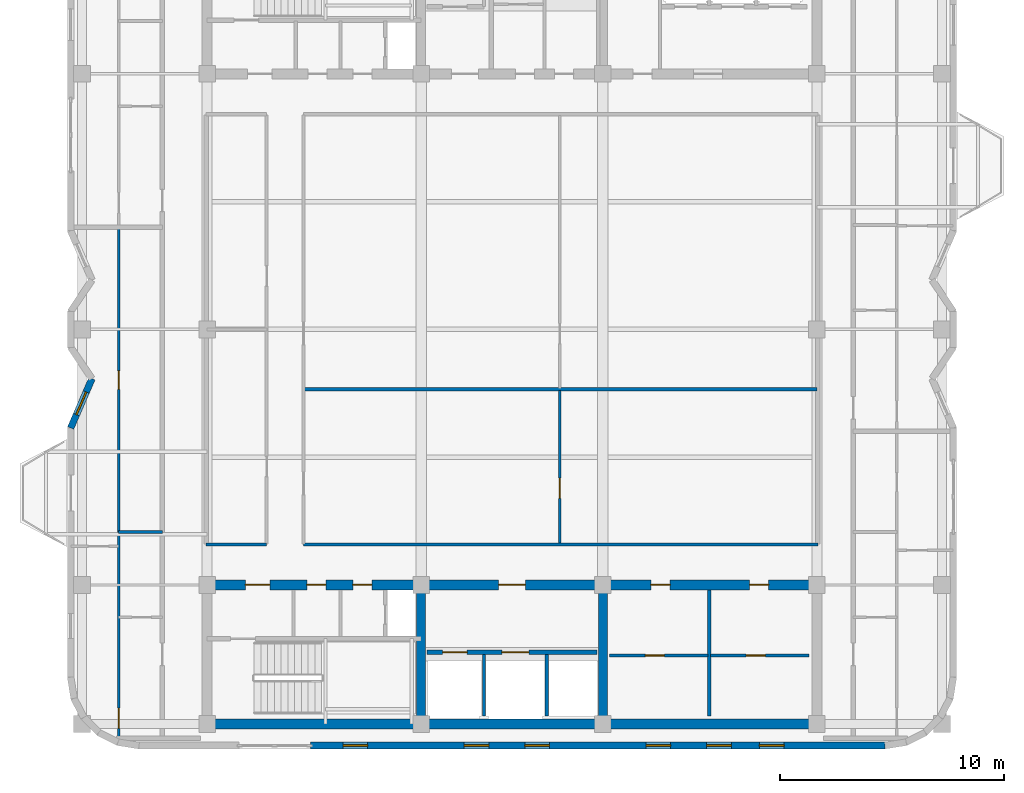
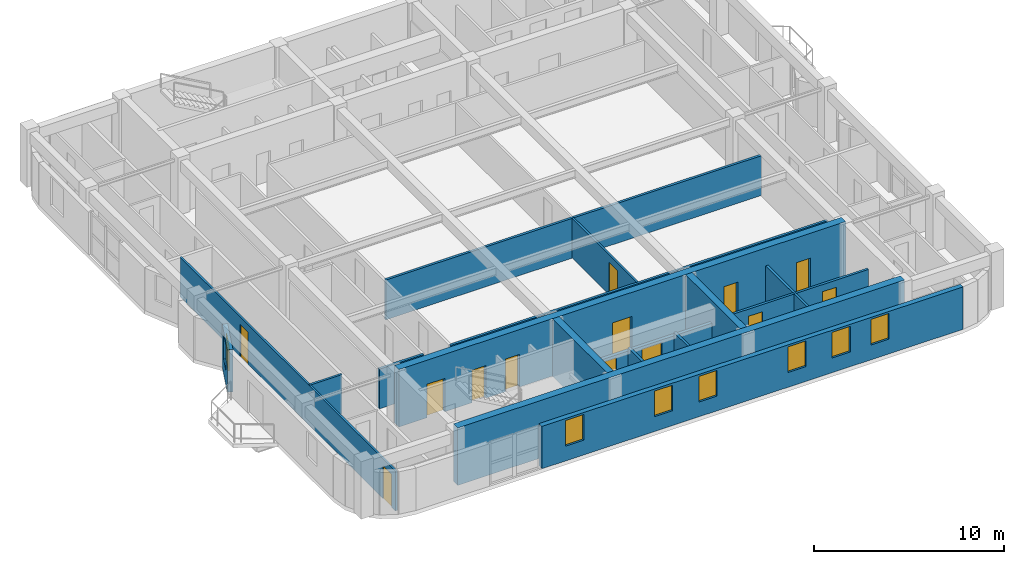
# One storey, part 5 of 11: 18 walls, 13 doors, 7 windows, 20 openings.
"""IFC4 building model written with IfcOpenShell, lengths in metres."""

from ifc_helpers import new_model, si_unit, direction, frame, frame_2d, origin, place, context, subcontext, project, spatial, rectangle, extrude, material, layer, layer_set, type_object, element, fill, save


model = new_model("IFC4")

# Units and contexts
model_context = context("Model", 3, precision=1e-05, world=origin(), true_north=direction((0.0, 1.0)))
body_context = subcontext(model_context, "Body", "Model", "MODEL_VIEW")
ifc_project = project(units=[si_unit("LENGTHUNIT", "METRE"), si_unit("AREAUNIT", "SQUARE_METRE"), si_unit("VOLUMEUNIT", "CUBIC_METRE"), si_unit("PLANEANGLEUNIT", "RADIAN"), si_unit("MASSUNIT", "GRAM", prefix="KILO")], contexts=[model_context])

# Site, building, storey
site_placement = place(None, origin())
site = spatial("IfcSite", under=ifc_project, at=site_placement, CompositionType="ELEMENT")
building_placement = place(site_placement, origin())
building = spatial("IfcBuilding", under=site, at=building_placement, Name="Svetorya Sky Lyceum", CompositionType="ELEMENT")
storey_placement = place(building_placement, frame((0.0, 0.0, 289.800048828125)))
storey = spatial("IfcBuildingStorey", under=building, at=storey_placement, Name="L73", CompositionType="ELEMENT", Elevation=289.800048828125)

# Walls
ifc_material_1 = material(Name="Concrete C40/50", Category="concrete")
ifc_layer_1 = layer(ifc_material_1, 0.39990234375)
ifc_layer_set_1 = layer_set([ifc_layer_1], Name="Concrete C40/50")
wall_type_1 = type_object("IfcWallType", Name="WL-CORE-400", PredefinedType="SHEAR", material=ifc_layer_set_1)
for number, where, z_axis, x_axis, name in (
    (1, (35.14990234375, 10.824951171875, 0.0), (0.0, 0.0, 1.0), (0.0, 1.0, 0.0), "L73 SC Internal Shear Web WEB1"),
    (2, (43.25, 10.824951171875, 0.0), (0.0, 0.0, 1.0), (0.0, 1.0, 0.0), "L73 SC Internal Shear Web WEB2"),
):
    element("IfcWall", number, at=place(storey_placement, frame(where, z_axis=z_axis, x_axis=x_axis)), inside=storey, type_object=wall_type_1, Name=name, PredefinedType="SHEAR", context=body_context, shape_type="SweptSolid", body=[
        extrude(rectangle(XDim=5.75, YDim=0.39990234375, at=frame_2d((2.875, 0.0))), origin(), (0.0, 0.0, 1.0), 3.699951171875),
    ])
ifc_material_2 = material(Name="Concrete C50/60", Category="concrete")
ifc_layer_2 = layer(ifc_material_2, 0.449951171875)
ifc_layer_set_2 = layer_set([ifc_layer_2], Name="Concrete C50/60")
wall_type_2 = type_object("IfcWallType", Name="WL-CORE-450", PredefinedType="SHEAR", material=ifc_layer_set_2)
wall_1_placement = place(storey_placement, frame((52.800048828125, 10.60009765625, 0.0), z_axis=(0.0, 0.0, 1.0), x_axis=(-1.0, 0.0, 0.0)))
element("IfcWall", 3, at=wall_1_placement, inside=storey, type_object=wall_type_2, Name="L73 SC Outer Core Shear Wall", PredefinedType="SHEAR", context=body_context, shape_type="SweptSolid", body=[
    extrude(rectangle(XDim=27.199951171875, YDim=0.449951171875, at=frame_2d((13.60009765625, 0.0))), origin(), (0.0, 0.0, 1.0), 3.699951171875),
])

# Wall, openings, doors
wall_2_placement = place(storey_placement, frame((25.60009765625, 16.800048828125, 0.0), z_axis=(0.0, 0.0, 1.0), x_axis=(1.0, 0.0, 0.0)))
wall_2 = element("IfcWall", 4, at=wall_2_placement, inside=storey, type_object=wall_type_2, Name="L73 SC Inner Core Shear Wall", PredefinedType="SHEAR", context=body_context, shape_type="SweptSolid", body=[
    extrude(rectangle(XDim=27.199951171875, YDim=0.449951171875, at=frame_2d((13.60009765625, 0.0))), origin(), (0.0, 0.0, 1.0), 3.699951171875),
])
opening_1_placement = place(wall_2_placement, frame((1.699951171875, 0.0, 0.0)))
opening_1 = element("IfcOpeningElement", 5, at=opening_1_placement, cuts=wall_2, Name="Opening D-ST1", PredefinedType="OPENING", context=body_context, shape_type="SweptSolid", body=[
    extrude(rectangle(XDim=1.10009765625, YDim=2.14990234375, at=frame_2d((0.550048828125, 1.074951171875))), frame((0.0, 0.23486328125, 0.0), z_axis=(0.0, -1.0, 0.0), x_axis=(1.0, 0.0, 0.0)), (0.0, 0.0, 1.0), 0.469970703125),
])
opening_2_placement = place(wall_2_placement, frame((4.449951171875, 0.0, 0.0)))
opening_2 = element("IfcOpeningElement", 6, at=opening_2_placement, cuts=wall_2, Name="Opening D-CWC1", PredefinedType="OPENING", context=body_context, shape_type="SweptSolid", body=[
    extrude(rectangle(XDim=0.85009765625, YDim=2.10009765625, at=frame_2d((0.425048828125, 1.050048828125))), frame((0.0, 0.23486328125, 0.0), z_axis=(0.0, -1.0, 0.0), x_axis=(1.0, 0.0, 0.0)), (0.0, 0.0, 1.0), 0.469970703125),
])
opening_3_placement = place(wall_2_placement, frame((6.5, 0.0, 0.0)))
opening_3 = element("IfcOpeningElement", 7, at=opening_3_placement, cuts=wall_2, Name="Opening D-CWC1", PredefinedType="OPENING", context=body_context, shape_type="SweptSolid", body=[
    extrude(rectangle(XDim=0.85009765625, YDim=2.10009765625, at=frame_2d((0.425048828125, 1.050048828125))), frame((0.0, 0.23486328125, 0.0), z_axis=(0.0, -1.0, 0.0), x_axis=(1.0, 0.0, 0.0)), (0.0, 0.0, 1.0), 0.469970703125),
])
opening_4_placement = place(wall_2_placement, frame((13.0, 0.0, 0.0)))
opening_4 = element("IfcOpeningElement", 8, at=opening_4_placement, cuts=wall_2, Name="Opening D-FL1", PredefinedType="OPENING", context=body_context, shape_type="SweptSolid", body=[
    extrude(rectangle(XDim=1.199951171875, YDim=2.14990234375, at=frame_2d((0.60009765625, 1.074951171875))), frame((0.0, 0.23486328125, 0.0), z_axis=(0.0, -1.0, 0.0), x_axis=(1.0, 0.0, 0.0)), (0.0, 0.0, 1.0), 0.469970703125),
])
opening_5_placement = place(wall_2_placement, frame((19.800048828125, 0.0, 0.0)))
opening_5 = element("IfcOpeningElement", 9, at=opening_5_placement, cuts=wall_2, Name="Opening D-CWC1", PredefinedType="OPENING", context=body_context, shape_type="SweptSolid", body=[
    extrude(rectangle(XDim=0.85009765625, YDim=2.10009765625, at=frame_2d((0.425048828125, 1.050048828125))), frame((0.0, 0.23486328125, 0.0), z_axis=(0.0, -1.0, 0.0), x_axis=(1.0, 0.0, 0.0)), (0.0, 0.0, 1.0), 0.469970703125),
])
opening_6_placement = place(wall_2_placement, frame((24.199951171875, 0.0, 0.0)))
opening_6 = element("IfcOpeningElement", 10, at=opening_6_placement, cuts=wall_2, Name="Opening D-CWC1", PredefinedType="OPENING", context=body_context, shape_type="SweptSolid", body=[
    extrude(rectangle(XDim=0.85009765625, YDim=2.10009765625, at=frame_2d((0.425048828125, 1.050048828125))), frame((0.0, 0.23486328125, 0.0), z_axis=(0.0, -1.0, 0.0), x_axis=(1.0, 0.0, 0.0)), (0.0, 0.0, 1.0), 0.469970703125),
])
ifc_material_3 = material(Name="Fire-rated galvanized steel core service closet door", Category="steel")
door_type_1 = type_object("IfcDoorType", Name="DR-CWET-850", OperationType="SINGLE_SWING_LEFT", PredefinedType="DOOR", material=ifc_material_3)
door_1_placement = place(opening_2_placement, origin())
door_1 = element("IfcDoor", 11, at=door_1_placement, inside=storey, type_object=door_type_1, Name="L73 South Mop Closet Door", OperationType="SINGLE_SWING_LEFT", OverallHeight=2.10009765625, OverallWidth=0.85009765625, PredefinedType="DOOR", context=body_context, shape_type="SweptSolid", body=[
    extrude(rectangle(XDim=0.85009765625, YDim=2.10009765625, at=frame_2d((0.425048828125, 1.050048828125))), frame((0.0, 0.02490234375, 0.0), z_axis=(0.0, -1.0, 0.0), x_axis=(1.0, 0.0, 0.0)), (0.0, 0.0, 1.0), 0.050048828125),
])
fill(opening_2, door_1)
door_2_placement = place(opening_3_placement, origin())
door_2 = element("IfcDoor", 12, at=door_2_placement, inside=storey, type_object=door_type_1, Name="L73 South West WC Door", OperationType="SINGLE_SWING_RIGHT", OverallHeight=2.10009765625, OverallWidth=0.85009765625, PredefinedType="DOOR", context=body_context, shape_type="SweptSolid", body=[
    extrude(rectangle(XDim=0.85009765625, YDim=2.10009765625, at=frame_2d((0.425048828125, 1.050048828125))), frame((0.0, 0.02490234375, 0.0), z_axis=(0.0, -1.0, 0.0), x_axis=(1.0, 0.0, 0.0)), (0.0, 0.0, 1.0), 0.050048828125),
])
fill(opening_3, door_2)
door_3_placement = place(opening_5_placement, origin())
door_3 = element("IfcDoor", 13, at=door_3_placement, inside=storey, type_object=door_type_1, Name="L73 Housekeeping Door", OperationType="SINGLE_SWING_LEFT", OverallHeight=2.10009765625, OverallWidth=0.85009765625, PredefinedType="DOOR", context=body_context, shape_type="SweptSolid", body=[
    extrude(rectangle(XDim=0.85009765625, YDim=2.10009765625, at=frame_2d((0.425048828125, 1.050048828125))), frame((0.0, 0.02490234375, 0.0), z_axis=(0.0, -1.0, 0.0), x_axis=(1.0, 0.0, 0.0)), (0.0, 0.0, 1.0), 0.050048828125),
])
fill(opening_5, door_3)
door_4_placement = place(opening_6_placement, origin())
door_4 = element("IfcDoor", 14, at=door_4_placement, inside=storey, type_object=door_type_1, Name="L73 South WC Door", OperationType="SINGLE_SWING_RIGHT", OverallHeight=2.10009765625, OverallWidth=0.85009765625, PredefinedType="DOOR", context=body_context, shape_type="SweptSolid", body=[
    extrude(rectangle(XDim=0.85009765625, YDim=2.10009765625, at=frame_2d((0.425048828125, 1.050048828125))), frame((0.0, 0.02490234375, 0.0), z_axis=(0.0, -1.0, 0.0), x_axis=(1.0, 0.0, 0.0)), (0.0, 0.0, 1.0), 0.050048828125),
])
fill(opening_6, door_4)
ifc_material_4 = material(Name="Powder-coated insulated galvanized stair fire door")
door_type_2 = type_object("IfcDoorType", Name="DR-FIRE-1100", OperationType="SINGLE_SWING_LEFT", PredefinedType="DOOR", material=ifc_material_4)
door_5_placement = place(opening_1_placement, origin())
door_5 = element("IfcDoor", 15, at=door_5_placement, inside=storey, type_object=door_type_2, Name="L73 South Stair Airlock Door", OperationType="SINGLE_SWING_RIGHT", OverallHeight=2.14990234375, OverallWidth=1.10009765625, PredefinedType="DOOR", context=body_context, shape_type="SweptSolid", body=[
    extrude(rectangle(XDim=1.10009765625, YDim=2.14990234375, at=frame_2d((0.550048828125, 1.074951171875))), frame((0.0, 0.02490234375, 0.0), z_axis=(0.0, -1.0, 0.0), x_axis=(1.0, 0.0, 0.0)), (0.0, 0.0, 1.0), 0.050048828125),
])
fill(opening_1, door_5)
ifc_material_5 = material(Name="Powder-coated insulated galvanized fire door")
door_type_3 = type_object("IfcDoorType", Name="DR-FIRE-1200", OperationType="SINGLE_SWING_LEFT", PredefinedType="DOOR", material=ifc_material_5)
door_6_placement = place(opening_4_placement, origin())
door_6 = element("IfcDoor", 16, at=door_6_placement, inside=storey, type_object=door_type_3, Name="L73 South Firefighting Lift Lobby Door", OperationType="SINGLE_SWING_LEFT", OverallHeight=2.14990234375, OverallWidth=1.199951171875, PredefinedType="DOOR", context=body_context, shape_type="SweptSolid", body=[
    extrude(rectangle(XDim=1.199951171875, YDim=2.14990234375, at=frame_2d((0.60009765625, 1.074951171875))), frame((0.0, 0.02490234375, 0.0), z_axis=(0.0, -1.0, 0.0), x_axis=(1.0, 0.0, 0.0)), (0.0, 0.0, 1.0), 0.050048828125),
])
fill(opening_4, door_6)

# Wall, openings, windows
ifc_material_6 = material(Name="Putilovo limestone rainscreen on autoclaved cellular masonry", Category="masonry")
ifc_layer_3 = layer(ifc_material_6, 0.300048828125)
ifc_layer_set_3 = layer_set([ifc_layer_3], Name="Putilovo limestone rainscreen on autoclaved cellular masonry")
wall_type_3 = type_object("IfcWallType", Name="WL-EXT-300", PredefinedType="SOLIDWALL", material=ifc_layer_set_3)
wall_3_placement = place(storey_placement, frame((30.2099609375, 9.6298828125, 0.0), z_axis=(0.0, 0.0, 1.0), x_axis=(1.0, 0.0, 0.0)))
wall_3 = element("IfcWall", 17, at=wall_3_placement, inside=storey, type_object=wall_type_3, Name="L73 Limestone Exterior Wall 6B", PredefinedType="SOLIDWALL", context=body_context, shape_type="SweptSolid", body=[
    extrude(rectangle(XDim=25.630126953125, YDim=0.300048828125, at=frame_2d((12.81494140625, 0.0))), origin(), (0.0, 0.0, 1.0), 2.72998046875),
])
opening_7_placement = place(wall_3_placement, frame((1.45166015625, 0.0, 0.949951171875)))
opening_7 = element("IfcOpeningElement", 18, at=opening_7_placement, cuts=wall_3, Name="Opening W-R3", PredefinedType="OPENING", context=body_context, shape_type="SweptSolid", body=[
    extrude(rectangle(XDim=1.10009765625, YDim=1.64990234375, at=frame_2d((0.550048828125, 0.824951171875))), frame((0.0, 0.159912109375, 0.0), z_axis=(0.0, -1.0, 0.0), x_axis=(1.0, 0.0, 0.0)), (0.0, 0.0, 1.0), 0.320068359375),
])
opening_8_placement = place(wall_3_placement, frame((6.8583984375, 0.0, 0.949951171875)))
opening_8 = element("IfcOpeningElement", 19, at=opening_8_placement, cuts=wall_3, Name="Opening W-R3", PredefinedType="OPENING", context=body_context, shape_type="SweptSolid", body=[
    extrude(rectangle(XDim=1.10009765625, YDim=1.64990234375, at=frame_2d((0.550048828125, 0.824951171875))), frame((0.0, 0.159912109375, 0.0), z_axis=(0.0, -1.0, 0.0), x_axis=(1.0, 0.0, 0.0)), (0.0, 0.0, 1.0), 0.320068359375),
])
opening_9_placement = place(wall_3_placement, frame((9.561767578125, 0.0, 0.949951171875)))
opening_9 = element("IfcOpeningElement", 20, at=opening_9_placement, cuts=wall_3, Name="Opening W-R3", PredefinedType="OPENING", context=body_context, shape_type="SweptSolid", body=[
    extrude(rectangle(XDim=1.10009765625, YDim=1.64990234375, at=frame_2d((0.550048828125, 0.824951171875))), frame((0.0, 0.159912109375, 0.0), z_axis=(0.0, -1.0, 0.0), x_axis=(1.0, 0.0, 0.0)), (0.0, 0.0, 1.0), 0.320068359375),
])
opening_10_placement = place(wall_3_placement, frame((14.96826171875, 0.0, 0.949951171875)))
opening_10 = element("IfcOpeningElement", 21, at=opening_10_placement, cuts=wall_3, Name="Opening W-R3", PredefinedType="OPENING", context=body_context, shape_type="SweptSolid", body=[
    extrude(rectangle(XDim=1.10009765625, YDim=1.64990234375, at=frame_2d((0.550048828125, 0.824951171875))), frame((0.0, 0.159912109375, 0.0), z_axis=(0.0, -1.0, 0.0), x_axis=(1.0, 0.0, 0.0)), (0.0, 0.0, 1.0), 0.320068359375),
])
opening_11_placement = place(wall_3_placement, frame((17.671630859375, 0.0, 0.949951171875)))
opening_11 = element("IfcOpeningElement", 22, at=opening_11_placement, cuts=wall_3, Name="Opening W-R3", PredefinedType="OPENING", context=body_context, shape_type="SweptSolid", body=[
    extrude(rectangle(XDim=1.10009765625, YDim=1.64990234375, at=frame_2d((0.550048828125, 0.824951171875))), frame((0.0, 0.159912109375, 0.0), z_axis=(0.0, -1.0, 0.0), x_axis=(1.0, 0.0, 0.0)), (0.0, 0.0, 1.0), 0.320068359375),
])
opening_12_placement = place(wall_3_placement, frame((20.02490234375, 0.0, 0.949951171875)))
opening_12 = element("IfcOpeningElement", 23, at=opening_12_placement, cuts=wall_3, Name="Opening W-R3", PredefinedType="OPENING", context=body_context, shape_type="SweptSolid", body=[
    extrude(rectangle(XDim=1.10009765625, YDim=1.64990234375, at=frame_2d((0.550048828125, 0.824951171875))), frame((0.0, 0.159912109375, 0.0), z_axis=(0.0, -1.0, 0.0), x_axis=(1.0, 0.0, 0.0)), (0.0, 0.0, 1.0), 0.320068359375),
])
ifc_material_7 = material(Name="Thermally broken aluminium frame with triple low-E glazing", Category="aluminium")
window_type = type_object("IfcWindowType", Name="WN-RES-110", PartitioningType="SINGLE_PANEL", PredefinedType="WINDOW", material=ifc_material_7)
window_1_placement = place(opening_7_placement, origin())
window_1 = element("IfcWindow", 24, at=window_1_placement, inside=storey, type_object=window_type, Name="L73 Facade Window W-R3.6B.1", OverallHeight=1.64990234375, OverallWidth=1.10009765625, PartitioningType="SINGLE_PANEL", PredefinedType="WINDOW", context=body_context, shape_type="SweptSolid", body=[
    extrude(rectangle(XDim=1.10009765625, YDim=1.64990234375, at=frame_2d((0.550048828125, 0.824951171875))), frame((0.0, 0.030029296875, 0.0), z_axis=(0.0, -1.0, 0.0), x_axis=(1.0, 0.0, 0.0)), (0.0, 0.0, 1.0), 0.06005859375),
])
fill(opening_7, window_1)
window_2_placement = place(opening_8_placement, origin())
window_2 = element("IfcWindow", 25, at=window_2_placement, inside=storey, type_object=window_type, Name="L73 Facade Window W-R3.6B.2", OverallHeight=1.64990234375, OverallWidth=1.10009765625, PartitioningType="SINGLE_PANEL", PredefinedType="WINDOW", context=body_context, shape_type="SweptSolid", body=[
    extrude(rectangle(XDim=1.10009765625, YDim=1.64990234375, at=frame_2d((0.550048828125, 0.824951171875))), frame((0.0, 0.030029296875, 0.0), z_axis=(0.0, -1.0, 0.0), x_axis=(1.0, 0.0, 0.0)), (0.0, 0.0, 1.0), 0.06005859375),
])
fill(opening_8, window_2)
window_3_placement = place(opening_9_placement, origin())
window_3 = element("IfcWindow", 26, at=window_3_placement, inside=storey, type_object=window_type, Name="L73 Facade Window W-R3.6B.3", OverallHeight=1.64990234375, OverallWidth=1.10009765625, PartitioningType="SINGLE_PANEL", PredefinedType="WINDOW", context=body_context, shape_type="SweptSolid", body=[
    extrude(rectangle(XDim=1.10009765625, YDim=1.64990234375, at=frame_2d((0.550048828125, 0.824951171875))), frame((0.0, 0.030029296875, 0.0), z_axis=(0.0, -1.0, 0.0), x_axis=(1.0, 0.0, 0.0)), (0.0, 0.0, 1.0), 0.06005859375),
])
fill(opening_9, window_3)
window_4_placement = place(opening_10_placement, origin())
window_4 = element("IfcWindow", 27, at=window_4_placement, inside=storey, type_object=window_type, Name="L73 Facade Window W-R3.6B.4", OverallHeight=1.64990234375, OverallWidth=1.10009765625, PartitioningType="SINGLE_PANEL", PredefinedType="WINDOW", context=body_context, shape_type="SweptSolid", body=[
    extrude(rectangle(XDim=1.10009765625, YDim=1.64990234375, at=frame_2d((0.550048828125, 0.824951171875))), frame((0.0, 0.030029296875, 0.0), z_axis=(0.0, -1.0, 0.0), x_axis=(1.0, 0.0, 0.0)), (0.0, 0.0, 1.0), 0.06005859375),
])
fill(opening_10, window_4)
window_5_placement = place(opening_11_placement, origin())
window_5 = element("IfcWindow", 28, at=window_5_placement, inside=storey, type_object=window_type, Name="L73 Facade Window W-R3.6B.5", OverallHeight=1.64990234375, OverallWidth=1.10009765625, PartitioningType="SINGLE_PANEL", PredefinedType="WINDOW", context=body_context, shape_type="SweptSolid", body=[
    extrude(rectangle(XDim=1.10009765625, YDim=1.64990234375, at=frame_2d((0.550048828125, 0.824951171875))), frame((0.0, 0.030029296875, 0.0), z_axis=(0.0, -1.0, 0.0), x_axis=(1.0, 0.0, 0.0)), (0.0, 0.0, 1.0), 0.06005859375),
])
fill(opening_11, window_5)
window_6_placement = place(opening_12_placement, origin())
window_6 = element("IfcWindow", 29, at=window_6_placement, inside=storey, type_object=window_type, Name="L73 Facade Window W-R3.6B.6", OverallHeight=1.64990234375, OverallWidth=1.10009765625, PartitioningType="SINGLE_PANEL", PredefinedType="WINDOW", context=body_context, shape_type="SweptSolid", body=[
    extrude(rectangle(XDim=1.10009765625, YDim=1.64990234375, at=frame_2d((0.550048828125, 0.824951171875))), frame((0.0, 0.030029296875, 0.0), z_axis=(0.0, -1.0, 0.0), x_axis=(1.0, 0.0, 0.0)), (0.0, 0.0, 1.0), 0.06005859375),
])
fill(opening_12, window_6)

# Wall, opening, window
wall_4_placement = place(storey_placement, frame((20.4599609375, 26.0, 0.0), z_axis=(0.0, 0.0, 1.0), x_axis=(-0.396426258231, -0.918066567186, 0.0)))
wall_4 = element("IfcWall", 30, at=wall_4_placement, inside=storey, type_object=wall_type_3, Name="L73 Limestone Exterior Wall 35M", PredefinedType="SOLIDWALL", context=body_context, shape_type="SweptSolid", body=[
    extrude(rectangle(XDim=2.396240234375, YDim=0.300048828125, at=frame_2d((1.1982421875, 0.0))), origin(), (0.0, 0.0, 1.0), 2.72998046875),
])
opening_13_placement = place(wall_4_placement, frame((0.648193359375, 0.0, 0.919921875)))
opening_13 = element("IfcOpeningElement", 31, at=opening_13_placement, cuts=wall_4, Name="Opening W-R3", PredefinedType="OPENING", context=body_context, shape_type="SweptSolid", body=[
    extrude(rectangle(XDim=1.10009765625, YDim=1.64990234375, at=frame_2d((0.550048828125, 0.824951171875))), frame((0.0, 0.159912109375, 0.0), z_axis=(0.0, -1.0, 0.0), x_axis=(1.0, 0.0, 0.0)), (0.0, 0.0, 1.0), 0.320068359375),
])
window_7_placement = place(opening_13_placement, origin())
window_7 = element("IfcWindow", 32, at=window_7_placement, inside=storey, type_object=window_type, Name="L73 Facade Window W-R3.35M.1", OverallHeight=1.64990234375, OverallWidth=1.10009765625, PartitioningType="SINGLE_PANEL", PredefinedType="WINDOW", context=body_context, shape_type="SweptSolid", body=[
    extrude(rectangle(XDim=1.10009765625, YDim=1.64990234375, at=frame_2d((0.550048828125, 0.824951171875))), frame((0.0, 0.030029296875, 0.0), z_axis=(0.0, -1.0, 0.0), x_axis=(1.0, 0.0, 0.0)), (0.0, 0.0, 1.0), 0.06005859375),
])
fill(opening_13, window_7)

# Wall, opening, door
ifc_material_8 = material(Name="Twin-stud galvanized framing with double fireboard", Category="gypsum")
ifc_layer_4 = layer(ifc_material_8, 0.1201171875)
ifc_layer_set_4 = layer_set([ifc_layer_4], Name="Twin-stud galvanized framing with double fireboard")
wall_type_4 = type_object("IfcWallType", Name="WL-PART-120", PredefinedType="PARTITIONING", material=ifc_layer_set_4)
wall_5_placement = place(storey_placement, frame((41.3349609375, 18.659912109375, 0.0), z_axis=(0.0, 0.0, 1.0), x_axis=(0.0, 1.0, 0.0)))
wall_5 = element("IfcWall", 33, at=wall_5_placement, inside=storey, type_object=wall_type_4, Name="L73 Interior Partition OFF-VEM1", PredefinedType="PARTITIONING", context=body_context, shape_type="SweptSolid", body=[
    extrude(rectangle(XDim=6.820556640625, YDim=0.1201171875, at=frame_2d((3.41015625, 0.0))), origin(), (0.0, 0.0, 1.0), 2.56005859375),
])
opening_14_placement = place(wall_5_placement, frame((2.0, 0.0, 0.0)))
opening_14 = element("IfcOpeningElement", 34, at=opening_14_placement, cuts=wall_5, Name="Opening D-RM1", PredefinedType="OPENING", context=body_context, shape_type="SweptSolid", body=[
    extrude(rectangle(XDim=0.89990234375, YDim=2.10009765625, at=frame_2d((0.449951171875, 1.050048828125))), frame((0.0, 0.070068359375, 0.0), z_axis=(0.0, -1.0, 0.0), x_axis=(1.0, 0.0, 0.0)), (0.0, 0.0, 1.0), 0.14013671875),
])
ifc_material_9 = material(Name="Lacquered birch veneer internal door")
door_type_4 = type_object("IfcDoorType", Name="DR-INT-900", OperationType="SINGLE_SWING_LEFT", PredefinedType="DOOR", material=ifc_material_9)
door_7_placement = place(opening_14_placement, origin())
door_7 = element("IfcDoor", 35, at=door_7_placement, inside=storey, type_object=door_type_4, Name="L73 East Study Door", OperationType="SINGLE_SWING_LEFT", OverallHeight=2.10009765625, OverallWidth=0.89990234375, PredefinedType="DOOR", context=body_context, shape_type="SweptSolid", body=[
    extrude(rectangle(XDim=0.89990234375, YDim=2.10009765625, at=frame_2d((0.449951171875, 1.050048828125))), frame((0.0, 0.02490234375, 0.0), z_axis=(0.0, -1.0, 0.0), x_axis=(1.0, 0.0, 0.0)), (0.0, 0.0, 1.0), 0.050048828125),
])
fill(opening_14, door_7)

# Wall, openings, doors
wall_6_placement = place(storey_placement, frame((21.64990234375, 9.989990234375, 0.0), z_axis=(0.0, 0.0, 1.0), x_axis=(0.0, 1.0, 0.0)))
wall_6 = element("IfcWall", 36, at=wall_6_placement, inside=storey, type_object=wall_type_4, Name="L73 Interior Partition W1-WV", PredefinedType="PARTITIONING", context=body_context, shape_type="SweptSolid", body=[
    extrude(rectangle(XDim=22.719970703125, YDim=0.1201171875, at=frame_2d((11.35986328125, 0.0))), origin(), (0.0, 0.0, 1.0), 2.56005859375),
])
opening_15_placement = place(wall_6_placement, frame((0.409912109375, 0.0, 0.0)))
opening_15 = element("IfcOpeningElement", 37, at=opening_15_placement, cuts=wall_6, Name="Opening D-RM1", PredefinedType="OPENING", context=body_context, shape_type="SweptSolid", body=[
    extrude(rectangle(XDim=0.89990234375, YDim=2.10009765625, at=frame_2d((0.449951171875, 1.050048828125))), frame((0.0, 0.070068359375, 0.0), z_axis=(0.0, -1.0, 0.0), x_axis=(1.0, 0.0, 0.0)), (0.0, 0.0, 1.0), 0.14013671875),
])
opening_16_placement = place(wall_6_placement, frame((15.534912109375, 0.0, 0.0)))
opening_16 = element("IfcOpeningElement", 38, at=opening_16_placement, cuts=wall_6, Name="Opening D-BT2", PredefinedType="OPENING", context=body_context, shape_type="SweptSolid", body=[
    extrude(rectangle(XDim=0.820068359375, YDim=2.080078125, at=frame_2d((0.41015625, 1.0400390625))), frame((0.0, 0.070068359375, 0.0), z_axis=(0.0, -1.0, 0.0), x_axis=(1.0, 0.0, 0.0)), (0.0, 0.0, 1.0), 0.14013671875),
])
door_8_placement = place(opening_15_placement, origin())
door_8 = element("IfcDoor", 39, at=door_8_placement, inside=storey, type_object=door_type_4, Name="Apartment W1 Living Door", OperationType="SINGLE_SWING_RIGHT", OverallHeight=2.10009765625, OverallWidth=0.89990234375, PredefinedType="DOOR", context=body_context, shape_type="SweptSolid", body=[
    extrude(rectangle(XDim=0.89990234375, YDim=2.10009765625, at=frame_2d((0.449951171875, 1.050048828125))), frame((0.0, 0.02490234375, 0.0), z_axis=(0.0, -1.0, 0.0), x_axis=(1.0, 0.0, 0.0)), (0.0, 0.0, 1.0), 0.050048828125),
])
fill(opening_15, door_8)
ifc_material_10 = material(Name="Compact moisture-resistant laminate closet door")
door_type_5 = type_object("IfcDoorType", Name="DR-WET-820", OperationType="SINGLE_SWING_LEFT", PredefinedType="DOOR", material=ifc_material_10)
door_9_placement = place(opening_16_placement, origin())
door_9 = element("IfcDoor", 40, at=door_9_placement, inside=storey, type_object=door_type_5, Name="Apartment W1 Study Door", OperationType="SINGLE_SWING_LEFT", OverallHeight=2.080078125, OverallWidth=0.820068359375, PredefinedType="DOOR", context=body_context, shape_type="SweptSolid", body=[
    extrude(rectangle(XDim=0.820068359375, YDim=2.080078125, at=frame_2d((0.41015625, 1.0400390625))), frame((0.0, 0.02490234375, 0.0), z_axis=(0.0, -1.0, 0.0), x_axis=(1.0, 0.0, 0.0)), (0.0, 0.0, 1.0), 0.050048828125),
])
fill(opening_16, door_9)

# Walls
ifc_material_11 = material(Name="Twin-stud galvanized framing with acoustic board", Category="gypsum")
ifc_layer_5 = layer(ifc_material_11, 0.135009765625)
ifc_layer_set_5 = layer_set([ifc_layer_5], Name="Twin-stud galvanized framing with acoustic board")
wall_type_5 = type_object("IfcWallType", Name="WL-PART-135", PredefinedType="PARTITIONING", material=ifc_layer_set_5)
wall_7_placement = place(storey_placement, frame((21.64990234375, 19.14990234375, 0.0), z_axis=(0.0, 0.0, 1.0), x_axis=(1.0, 0.0, 0.0)))
element("IfcWall", 41, at=wall_7_placement, inside=storey, type_object=wall_type_5, Name="L73 Interior Partition W1-WH2", PredefinedType="PARTITIONING", context=body_context, shape_type="SweptSolid", body=[
    extrude(rectangle(XDim=1.9501953125, YDim=0.135009765625, at=frame_2d((0.97509765625, 0.0))), origin(), (0.0, 0.0, 1.0), 2.56005859375),
])
ifc_material_12 = material(Name="Autoclaved cellular masonry blockwork with acoustic render", Category="masonry")
ifc_layer_6 = layer(ifc_material_12, 0.14990234375)
ifc_layer_set_6 = layer_set([ifc_layer_6], Name="Autoclaved cellular masonry blockwork with acoustic render")
wall_type_6 = type_object("IfcWallType", Name="WL-PART-150", PredefinedType="PARTITIONING", material=ifc_layer_set_6)
for number, where, z_axis, x_axis, name in (
    (42, (37.949951171875, 10.949951171875, 0.0), (0.0, 0.0, 1.0), (0.0, 1.0, 0.0), "L73 Interior Partition SC-SHD1"),
    (43, (40.75, 10.949951171875, 0.0), (0.0, 0.0, 1.0), (0.0, 1.0, 0.0), "L73 Interior Partition SC-SHD2"),
):
    element("IfcWall", number, at=place(storey_placement, frame(where, z_axis=z_axis, x_axis=x_axis)), inside=storey, type_object=wall_type_6, Name=name, PredefinedType="PARTITIONING", context=body_context, shape_type="SweptSolid", body=[
        extrude(rectangle(XDim=2.75, YDim=0.14990234375, at=frame_2d((1.375, 0.0))), origin(), (0.0, 0.0, 1.0), 2.56005859375),
    ])
wall_8_placement = place(storey_placement, frame((48.0, 10.949951171875, 0.0), z_axis=(0.0, 0.0, 1.0), x_axis=(0.0, 1.0, 0.0)))
element("IfcWall", 44, at=wall_8_placement, inside=storey, type_object=wall_type_6, Name="L73 Interior Partition SC-LV7-V", PredefinedType="PARTITIONING", context=body_context, shape_type="SweptSolid", body=[
    extrude(rectangle(XDim=5.630126953125, YDim=0.14990234375, at=frame_2d((2.81494140625, 0.0))), origin(), (0.0, 0.0, 1.0), 2.56005859375),
])

# Wall, opening, door
wall_9_placement = place(storey_placement, frame((43.550048828125, 13.64990234375, 0.0), z_axis=(0.0, 0.0, 1.0), x_axis=(1.0, 0.0, 0.0)))
wall_9 = element("IfcWall", 45, at=wall_9_placement, inside=storey, type_object=wall_type_6, Name="L73 Interior Partition SC-LV7-HW", PredefinedType="PARTITIONING", context=body_context, shape_type="SweptSolid", body=[
    extrude(rectangle(XDim=4.39990234375, YDim=0.14990234375, at=frame_2d((2.199951171875, 0.0))), origin(), (0.0, 0.0, 1.0), 2.56005859375),
])
opening_17_placement = place(wall_9_placement, frame((1.60009765625, 0.0, 0.0)))
opening_17 = element("IfcOpeningElement", 46, at=opening_17_placement, cuts=wall_9, Name="Opening D-CWC1", PredefinedType="OPENING", context=body_context, shape_type="SweptSolid", body=[
    extrude(rectangle(XDim=0.85009765625, YDim=2.10009765625, at=frame_2d((0.425048828125, 1.050048828125))), frame((0.0, 0.0849609375, 0.0), z_axis=(0.0, -1.0, 0.0), x_axis=(1.0, 0.0, 0.0)), (0.0, 0.0, 1.0), 0.169921875),
])
door_10_placement = place(opening_17_placement, origin())
door_10 = element("IfcDoor", 47, at=door_10_placement, inside=storey, type_object=door_type_1, Name="L73 South Electrical Room Door", OperationType="SINGLE_SWING_LEFT", OverallHeight=2.10009765625, OverallWidth=0.85009765625, PredefinedType="DOOR", context=body_context, shape_type="SweptSolid", body=[
    extrude(rectangle(XDim=0.85009765625, YDim=2.10009765625, at=frame_2d((0.425048828125, 1.050048828125))), frame((0.0, 0.02490234375, 0.0), z_axis=(0.0, -1.0, 0.0), x_axis=(1.0, 0.0, 0.0)), (0.0, 0.0, 1.0), 0.050048828125),
])
fill(opening_17, door_10)

wall_10_placement = place(storey_placement, frame((48.050048828125, 13.64990234375, 0.0), z_axis=(0.0, 0.0, 1.0), x_axis=(1.0, 0.0, 0.0)))
wall_10 = element("IfcWall", 48, at=wall_10_placement, inside=storey, type_object=wall_type_6, Name="L73 Interior Partition SC-LV7-HE", PredefinedType="PARTITIONING", context=body_context, shape_type="SweptSolid", body=[
    extrude(rectangle(XDim=4.39990234375, YDim=0.14990234375, at=frame_2d((2.199951171875, 0.0))), origin(), (0.0, 0.0, 1.0), 2.56005859375),
])
opening_18_placement = place(wall_10_placement, frame((1.60009765625, 0.0, 0.0)))
opening_18 = element("IfcOpeningElement", 49, at=opening_18_placement, cuts=wall_10, Name="Opening D-CWC1", PredefinedType="OPENING", context=body_context, shape_type="SweptSolid", body=[
    extrude(rectangle(XDim=0.85009765625, YDim=2.10009765625, at=frame_2d((0.425048828125, 1.050048828125))), frame((0.0, 0.0849609375, 0.0), z_axis=(0.0, -1.0, 0.0), x_axis=(1.0, 0.0, 0.0)), (0.0, 0.0, 1.0), 0.169921875),
])
door_11_placement = place(opening_18_placement, origin())
door_11 = element("IfcDoor", 50, at=door_11_placement, inside=storey, type_object=door_type_1, Name="L73 South Server Closet Door", OperationType="SINGLE_SWING_RIGHT", OverallHeight=2.10009765625, OverallWidth=0.85009765625, PredefinedType="DOOR", context=body_context, shape_type="SweptSolid", body=[
    extrude(rectangle(XDim=0.85009765625, YDim=2.10009765625, at=frame_2d((0.425048828125, 1.050048828125))), frame((0.0, 0.02490234375, 0.0), z_axis=(0.0, -1.0, 0.0), x_axis=(1.0, 0.0, 0.0)), (0.0, 0.0, 1.0), 0.050048828125),
])
fill(opening_18, door_11)

# Walls
wall_11_placement = place(storey_placement, frame((25.550048828125, 18.60009765625, 0.0), z_axis=(0.0, 0.0, 1.0), x_axis=(1.0, 0.0, 0.0)))
element("IfcWall", 51, at=wall_11_placement, inside=storey, type_object=wall_type_6, Name="L73 Interior Partition OFF-CS-W", PredefinedType="PARTITIONING", context=body_context, shape_type="SweptSolid", body=[
    extrude(rectangle(XDim=2.699951171875, YDim=0.14990234375, at=frame_2d((1.35009765625, 0.0))), origin(), (0.0, 0.0, 1.0), 2.56005859375),
])
wall_12_placement = place(storey_placement, frame((29.89990234375, 18.60009765625, 0.0), z_axis=(0.0, 0.0, 1.0), x_axis=(1.0, 0.0, 0.0)))
element("IfcWall", 52, at=wall_12_placement, inside=storey, type_object=wall_type_6, Name="L73 Interior Partition OFF-CS-E", PredefinedType="PARTITIONING", context=body_context, shape_type="SweptSolid", body=[
    extrude(rectangle(XDim=22.9501953125, YDim=0.14990234375, at=frame_2d((11.47509765625, 0.0))), origin(), (0.0, 0.0, 1.0), 2.56005859375),
])
wall_13_placement = place(storey_placement, frame((29.929931640625, 25.5205078125, 0.0), z_axis=(0.0, 0.0, 1.0), x_axis=(1.0, 0.0, 0.0)))
element("IfcWall", 53, at=wall_13_placement, inside=storey, type_object=wall_type_6, Name="L73 Interior Partition OFF-HE", PredefinedType="PARTITIONING", context=body_context, shape_type="SweptSolid", body=[
    extrude(rectangle(XDim=22.8701171875, YDim=0.14990234375, at=frame_2d((11.43505859375, 0.0))), origin(), (0.0, 0.0, 1.0), 2.56005859375),
])

# Wall, openings, doors
ifc_material_13 = material(Name="Autoclaved cellular masonry blockwork with gypsum plaster", Category="masonry")
ifc_layer_7 = layer(ifc_material_13, 0.199951171875)
ifc_layer_set_7 = layer_set([ifc_layer_7], Name="Autoclaved cellular masonry blockwork with gypsum plaster")
wall_type_7 = type_object("IfcWallType", Name="WL-PART-200", PredefinedType="PARTITIONING", material=ifc_layer_set_7)
wall_14_placement = place(storey_placement, frame((35.39990234375, 13.800048828125, 0.0), z_axis=(0.0, 0.0, 1.0), x_axis=(1.0, 0.0, 0.0)))
wall_14 = element("IfcWall", 54, at=wall_14_placement, inside=storey, type_object=wall_type_7, Name="L73 Interior Partition SC-FLW", PredefinedType="PARTITIONING", context=body_context, shape_type="SweptSolid", body=[
    extrude(rectangle(XDim=7.60009765625, YDim=0.199951171875, at=frame_2d((3.800048828125, 0.0))), origin(), (0.0, 0.0, 1.0), 2.329833984375),
])
opening_19_placement = place(wall_14_placement, frame((0.699951171875, 0.0, 0.0)))
opening_19 = element("IfcOpeningElement", 55, at=opening_19_placement, cuts=wall_14, Name="Opening LD-FL", PredefinedType="OPENING", context=body_context, shape_type="SweptSolid", body=[
    extrude(rectangle(XDim=1.10009765625, YDim=2.14990234375, at=frame_2d((0.550048828125, 1.074951171875))), frame((0.0, 0.10986328125, 0.0), z_axis=(0.0, -1.0, 0.0), x_axis=(1.0, 0.0, 0.0)), (0.0, 0.0, 1.0), 0.219970703125),
])
opening_20_placement = place(wall_14_placement, frame((3.35009765625, 0.0, 0.0)))
opening_20 = element("IfcOpeningElement", 56, at=opening_20_placement, cuts=wall_14, Name="Opening LD-SV", PredefinedType="OPENING", context=body_context, shape_type="SweptSolid", body=[
    extrude(rectangle(XDim=1.199951171875, YDim=2.14990234375, at=frame_2d((0.60009765625, 1.074951171875))), frame((0.0, 0.10986328125, 0.0), z_axis=(0.0, -1.0, 0.0), x_axis=(1.0, 0.0, 0.0)), (0.0, 0.0, 1.0), 0.219970703125),
])
ifc_material_14 = material(Name="Fire-rated stainless AISI 304 firefighting lift landing door")
door_type_6 = type_object("IfcDoorType", Name="DR-LIFT-1100", OperationType="SLIDING_TO_LEFT", PredefinedType="DOOR", material=ifc_material_14)
door_12_placement = place(opening_19_placement, origin())
door_12 = element("IfcDoor", 57, at=door_12_placement, inside=storey, type_object=door_type_6, Name="L73 Firefighting Lift FL2 Landing Door", OperationType="SLIDING_TO_LEFT", OverallHeight=2.14990234375, OverallWidth=1.10009765625, PredefinedType="DOOR", context=body_context, shape_type="SweptSolid", body=[
    extrude(rectangle(XDim=1.10009765625, YDim=2.14990234375, at=frame_2d((0.550048828125, 1.074951171875))), frame((0.0, 0.02490234375, 0.0), z_axis=(0.0, -1.0, 0.0), x_axis=(1.0, 0.0, 0.0)), (0.0, 0.0, 1.0), 0.050048828125),
])
fill(opening_19, door_12)
ifc_material_15 = material(Name="Brushed stainless AISI 304 telescopic lift landing door")
door_type_7 = type_object("IfcDoorType", Name="DR-LIFT-1200", OperationType="SLIDING_TO_LEFT", PredefinedType="DOOR", material=ifc_material_15)
door_13_placement = place(opening_20_placement, origin())
door_13 = element("IfcDoor", 58, at=door_13_placement, inside=storey, type_object=door_type_7, Name="L73 Service Lift SVL1 Landing Door", OperationType="SLIDING_TO_LEFT", OverallHeight=2.14990234375, OverallWidth=1.199951171875, PredefinedType="DOOR", context=body_context, shape_type="SweptSolid", body=[
    extrude(rectangle(XDim=1.199951171875, YDim=2.14990234375, at=frame_2d((0.60009765625, 1.074951171875))), frame((0.0, 0.02490234375, 0.0), z_axis=(0.0, -1.0, 0.0), x_axis=(1.0, 0.0, 0.0)), (0.0, 0.0, 1.0), 0.050048828125),
])
fill(opening_20, door_13)

save(model, "model.ifc")
